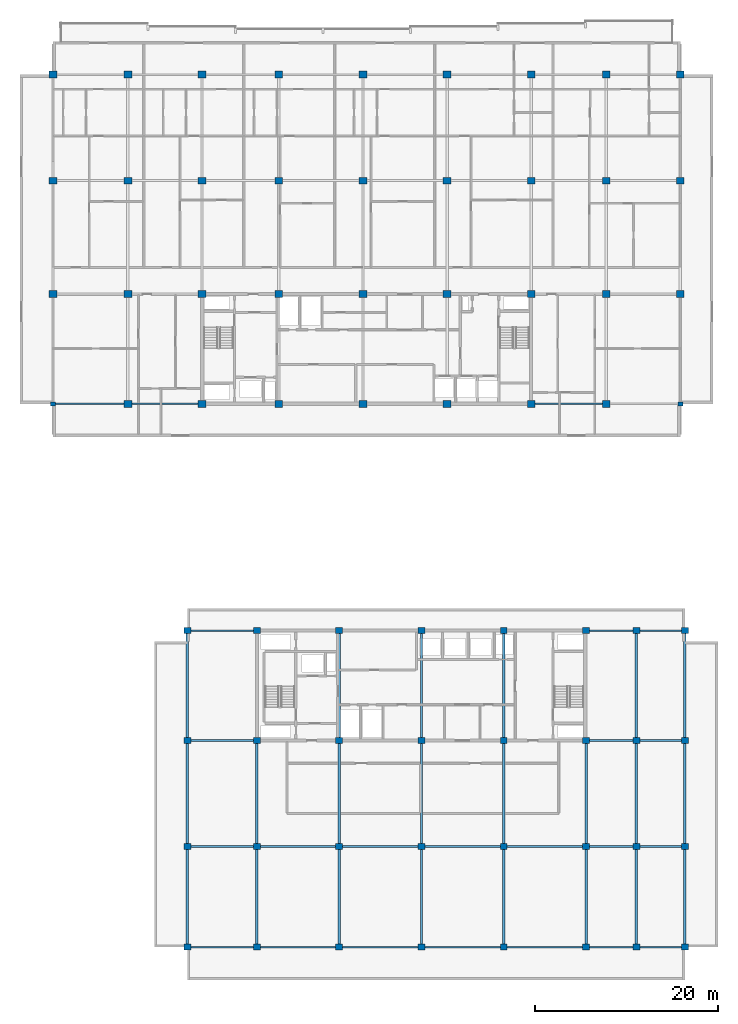
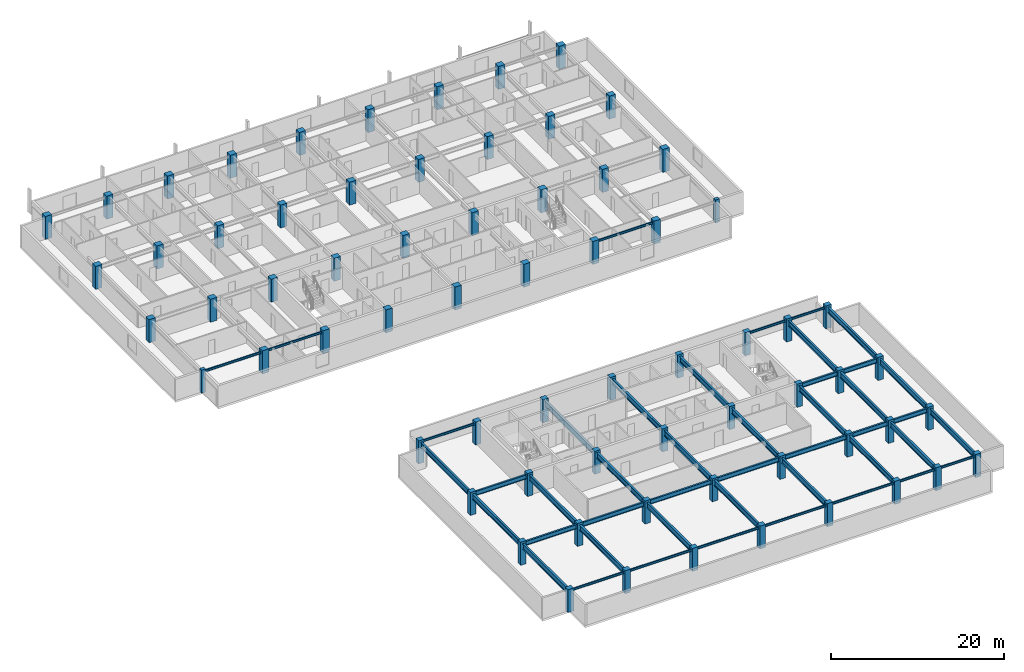
# One storey, part 1 of 17: 68 columns, 45 beams.
"""IFC4 building model written with IfcOpenShell, lengths in metres."""

from ifc_helpers import new_model, si_unit, direction, frame, origin, origin_2d, place, context, subcontext, project, spatial, rectangle, i_section, extrude, material, material_profile, profile_set, type_object, element, save


model = new_model("IFC4")

# Units and contexts
model_context = context("Model", 3, precision=1e-05, world=origin(), true_north=direction((0.0, 1.0)))
body_context = subcontext(model_context, "Body", "Model", "MODEL_VIEW")
ifc_project = project(units=[si_unit("LENGTHUNIT", "METRE"), si_unit("AREAUNIT", "SQUARE_METRE"), si_unit("VOLUMEUNIT", "CUBIC_METRE"), si_unit("PLANEANGLEUNIT", "RADIAN"), si_unit("MASSUNIT", "GRAM", prefix="KILO")], contexts=[model_context])

# Site, building, storey
site_placement = place(None, origin())
site = spatial("IfcSite", under=ifc_project, at=site_placement, CompositionType="ELEMENT")
building_placement = place(site_placement, origin())
building = spatial("IfcBuilding", under=site, at=building_placement, Name="Korimba Cascade Residences", CompositionType="ELEMENT")
storey_placement = place(building_placement, frame((0.0, 0.0, 204.35009765625)))
storey = spatial("IfcBuildingStorey", under=building, at=storey_placement, Name="L59", CompositionType="ELEMENT", Elevation=204.35009765625)

# Columns
ifc_material_1 = material(Name="Concrete C65/80", Category="concrete")
ifc_material_profile_1 = material_profile(ifc_material_1, rectangle(XDim=0.550048828125, YDim=0.449951171875, at=origin_2d()), Name="Concrete C65/80")
ifc_profile_set_1 = profile_set([ifc_material_profile_1], Name="Concrete C65/80")
column_type_1 = type_object("IfcColumnType", Name="COL-PIL-550", PredefinedType="PILASTER", material=ifc_profile_set_1)
for number, where, z_axis, x_axis, name in (
    (1, (59.800048828125, 55.199951171875, 0.0), (0.0, 0.0, 1.0), (1.0, 0.0, 0.0), "L59 Tower 1 Column 1.1"),
    (2, (128.39990234375, 55.199951171875, 0.0), (0.0, 0.0, 1.0), (1.0, 0.0, 0.0), "L59 Tower 1 Column 9.1"),
):
    element("IfcColumn", number, at=place(storey_placement, frame(where, z_axis=z_axis, x_axis=x_axis)), inside=storey, type_object=column_type_1, Name=name, PredefinedType="PILASTER", context=body_context, shape_type="SweptSolid", body=[
        extrude(rectangle(XDim=0.550048828125, YDim=0.449951171875, at=origin_2d()), origin(), (0.0, 0.0, 1.0), 3.25),
    ])
ifc_material_2 = material(Name="Concrete C50/60", Category="concrete")
ifc_material_profile_2 = material_profile(ifc_material_2, rectangle(XDim=0.75, YDim=0.64990234375, at=origin_2d()), Name="Concrete C50/60")
ifc_profile_set_2 = profile_set([ifc_material_profile_2], Name="Concrete C50/60")
column_type_2 = type_object("IfcColumnType", Name="COL-RC-750", PredefinedType="COLUMN", material=ifc_profile_set_2)
for number, where, z_axis, x_axis, name in (
    (3, (74.5, -4.199951171875, 0.0), (0.0, 0.0, 1.0), (1.0, 0.0, 0.0), "L59 Tower 2 Column 1.1"),
    (4, (74.5, 6.800048828125, 0.0), (0.0, 0.0, 1.0), (1.0, 0.0, 0.0), "L59 Tower 2 Column 1.2"),
    (5, (74.5, 18.39990234375, 0.0), (0.0, 0.0, 1.0), (1.0, 0.0, 0.0), "L59 Tower 2 Column 1.3"),
    (6, (74.5, 30.39990234375, 0.0), (0.0, 0.0, 1.0), (1.0, 0.0, 0.0), "L59 Tower 2 Column 1.4"),
    (7, (82.10009765625, -4.199951171875, 0.0), (0.0, 0.0, 1.0), (1.0, 0.0, 0.0), "L59 Tower 2 Column 2.1"),
    (8, (82.10009765625, 6.800048828125, 0.0), (0.0, 0.0, 1.0), (1.0, 0.0, 0.0), "L59 Tower 2 Column 2.2"),
    (9, (82.10009765625, 18.39990234375, 0.0), (0.0, 0.0, 1.0), (1.0, 0.0, 0.0), "L59 Tower 2 Column 2.3"),
    (10, (82.10009765625, 30.39990234375, 0.0), (0.0, 0.0, 1.0), (1.0, 0.0, 0.0), "L59 Tower 2 Column 2.4"),
    (11, (91.10009765625, -4.199951171875, 0.0), (0.0, 0.0, 1.0), (1.0, 0.0, 0.0), "L59 Tower 2 Column 3.1"),
    (12, (91.10009765625, 6.800048828125, 0.0), (0.0, 0.0, 1.0), (1.0, 0.0, 0.0), "L59 Tower 2 Column 3.2"),
    (13, (91.10009765625, 18.39990234375, 0.0), (0.0, 0.0, 1.0), (1.0, 0.0, 0.0), "L59 Tower 2 Column 3.3"),
    (14, (91.10009765625, 30.39990234375, 0.0), (0.0, 0.0, 1.0), (1.0, 0.0, 0.0), "L59 Tower 2 Column 3.4"),
    (15, (100.10009765625, -4.199951171875, 0.0), (0.0, 0.0, 1.0), (1.0, 0.0, 0.0), "L59 Tower 2 Column 4.1"),
    (16, (100.10009765625, 6.800048828125, 0.0), (0.0, 0.0, 1.0), (1.0, 0.0, 0.0), "L59 Tower 2 Column 4.2"),
    (17, (100.10009765625, 18.39990234375, 0.0), (0.0, 0.0, 1.0), (1.0, 0.0, 0.0), "L59 Tower 2 Column 4.3"),
    (18, (100.10009765625, 30.39990234375, 0.0), (0.0, 0.0, 1.0), (1.0, 0.0, 0.0), "L59 Tower 2 Column 4.4"),
    (19, (109.10009765625, -4.199951171875, 0.0), (0.0, 0.0, 1.0), (1.0, 0.0, 0.0), "L59 Tower 2 Column 5.1"),
    (20, (109.10009765625, 6.800048828125, 0.0), (0.0, 0.0, 1.0), (1.0, 0.0, 0.0), "L59 Tower 2 Column 5.2"),
    (21, (109.10009765625, 18.39990234375, 0.0), (0.0, 0.0, 1.0), (1.0, 0.0, 0.0), "L59 Tower 2 Column 5.3"),
    (22, (109.10009765625, 30.39990234375, 0.0), (0.0, 0.0, 1.0), (1.0, 0.0, 0.0), "L59 Tower 2 Column 5.4"),
    (23, (118.10009765625, -4.199951171875, 0.0), (0.0, 0.0, 1.0), (1.0, 0.0, 0.0), "L59 Tower 2 Column 6.1"),
    (24, (118.10009765625, 6.800048828125, 0.0), (0.0, 0.0, 1.0), (1.0, 0.0, 0.0), "L59 Tower 2 Column 6.2"),
    (25, (118.10009765625, 18.39990234375, 0.0), (0.0, 0.0, 1.0), (1.0, 0.0, 0.0), "L59 Tower 2 Column 6.3"),
    (26, (118.10009765625, 30.39990234375, 0.0), (0.0, 0.0, 1.0), (1.0, 0.0, 0.0), "L59 Tower 2 Column 6.4"),
    (27, (123.60009765625, -4.199951171875, 0.0), (0.0, 0.0, 1.0), (1.0, 0.0, 0.0), "L59 Tower 2 Column 7.1"),
    (28, (123.60009765625, 6.800048828125, 0.0), (0.0, 0.0, 1.0), (1.0, 0.0, 0.0), "L59 Tower 2 Column 7.2"),
    (29, (123.60009765625, 18.39990234375, 0.0), (0.0, 0.0, 1.0), (1.0, 0.0, 0.0), "L59 Tower 2 Column 7.3"),
    (30, (123.60009765625, 30.39990234375, 0.0), (0.0, 0.0, 1.0), (1.0, 0.0, 0.0), "L59 Tower 2 Column 7.4"),
    (31, (128.89990234375, -4.199951171875, 0.0), (0.0, 0.0, 1.0), (1.0, 0.0, 0.0), "L59 Tower 2 Column 8.1"),
    (32, (128.89990234375, 6.800048828125, 0.0), (0.0, 0.0, 1.0), (1.0, 0.0, 0.0), "L59 Tower 2 Column 8.2"),
    (33, (128.89990234375, 18.39990234375, 0.0), (0.0, 0.0, 1.0), (1.0, 0.0, 0.0), "L59 Tower 2 Column 8.3"),
    (34, (128.89990234375, 30.39990234375, 0.0), (0.0, 0.0, 1.0), (1.0, 0.0, 0.0), "L59 Tower 2 Column 8.4"),
):
    element("IfcColumn", number, at=place(storey_placement, frame(where, z_axis=z_axis, x_axis=x_axis)), inside=storey, type_object=column_type_2, Name=name, PredefinedType="COLUMN", context=body_context, shape_type="SweptSolid", body=[
        extrude(rectangle(XDim=0.75, YDim=0.64990234375, at=origin_2d()), origin(), (0.0, 0.0, 1.0), 3.25),
    ])
ifc_material_profile_3 = material_profile(ifc_material_1, rectangle(XDim=0.85009765625, YDim=0.75, at=origin_2d()), Name="Concrete C65/80")
ifc_profile_set_3 = profile_set([ifc_material_profile_3], Name="Concrete C65/80")
column_type_3 = type_object("IfcColumnType", Name="COL-RC-850", PredefinedType="COLUMN", material=ifc_profile_set_3)
for number, where, z_axis, x_axis, name in (
    (35, (59.800048828125, 67.199951171875, 0.0), (0.0, 0.0, 1.0), (1.0, 0.0, 0.0), "L59 Tower 1 Column 1.2"),
    (36, (59.800048828125, 79.60009765625, 0.0), (0.0, 0.0, 1.0), (1.0, 0.0, 0.0), "L59 Tower 1 Column 1.3"),
    (37, (59.800048828125, 91.199951171875, 0.0), (0.0, 0.0, 1.0), (1.0, 0.0, 0.0), "L59 Tower 1 Column 1.4"),
    (38, (68.0, 55.199951171875, 0.0), (0.0, 0.0, 1.0), (1.0, 0.0, 0.0), "L59 Tower 1 Column 2.1"),
    (39, (68.0, 67.199951171875, 0.0), (0.0, 0.0, 1.0), (1.0, 0.0, 0.0), "L59 Tower 1 Column 2.2"),
    (40, (68.0, 79.60009765625, 0.0), (0.0, 0.0, 1.0), (1.0, 0.0, 0.0), "L59 Tower 1 Column 2.3"),
    (41, (68.0, 91.199951171875, 0.0), (0.0, 0.0, 1.0), (1.0, 0.0, 0.0), "L59 Tower 1 Column 2.4"),
    (42, (76.10009765625, 55.199951171875, 0.0), (0.0, 0.0, 1.0), (1.0, 0.0, 0.0), "L59 Tower 1 Column 3.1"),
    (43, (76.10009765625, 67.199951171875, 0.0), (0.0, 0.0, 1.0), (1.0, 0.0, 0.0), "L59 Tower 1 Column 3.2"),
    (44, (76.10009765625, 79.60009765625, 0.0), (0.0, 0.0, 1.0), (1.0, 0.0, 0.0), "L59 Tower 1 Column 3.3"),
    (45, (76.10009765625, 91.199951171875, 0.0), (0.0, 0.0, 1.0), (1.0, 0.0, 0.0), "L59 Tower 1 Column 3.4"),
    (46, (84.5, 55.199951171875, 0.0), (0.0, 0.0, 1.0), (1.0, 0.0, 0.0), "L59 Tower 1 Column 4.1"),
    (47, (84.5, 67.199951171875, 0.0), (0.0, 0.0, 1.0), (1.0, 0.0, 0.0), "L59 Tower 1 Column 4.2"),
    (48, (84.5, 79.60009765625, 0.0), (0.0, 0.0, 1.0), (1.0, 0.0, 0.0), "L59 Tower 1 Column 4.3"),
    (49, (84.5, 91.199951171875, 0.0), (0.0, 0.0, 1.0), (1.0, 0.0, 0.0), "L59 Tower 1 Column 4.4"),
    (50, (93.699951171875, 55.199951171875, 0.0), (0.0, 0.0, 1.0), (1.0, 0.0, 0.0), "L59 Tower 1 Column 5.1"),
    (51, (93.699951171875, 67.199951171875, 0.0), (0.0, 0.0, 1.0), (1.0, 0.0, 0.0), "L59 Tower 1 Column 5.2"),
    (52, (93.699951171875, 79.60009765625, 0.0), (0.0, 0.0, 1.0), (1.0, 0.0, 0.0), "L59 Tower 1 Column 5.3"),
    (53, (93.699951171875, 91.199951171875, 0.0), (0.0, 0.0, 1.0), (1.0, 0.0, 0.0), "L59 Tower 1 Column 5.4"),
    (54, (102.89990234375, 55.199951171875, 0.0), (0.0, 0.0, 1.0), (1.0, 0.0, 0.0), "L59 Tower 1 Column 6.1"),
    (55, (102.89990234375, 67.199951171875, 0.0), (0.0, 0.0, 1.0), (1.0, 0.0, 0.0), "L59 Tower 1 Column 6.2"),
    (56, (102.89990234375, 79.60009765625, 0.0), (0.0, 0.0, 1.0), (1.0, 0.0, 0.0), "L59 Tower 1 Column 6.3"),
    (57, (102.89990234375, 91.199951171875, 0.0), (0.0, 0.0, 1.0), (1.0, 0.0, 0.0), "L59 Tower 1 Column 6.4"),
    (58, (112.10009765625, 55.199951171875, 0.0), (0.0, 0.0, 1.0), (1.0, 0.0, 0.0), "L59 Tower 1 Column 7.1"),
    (59, (112.10009765625, 67.199951171875, 0.0), (0.0, 0.0, 1.0), (1.0, 0.0, 0.0), "L59 Tower 1 Column 7.2"),
    (60, (112.10009765625, 79.60009765625, 0.0), (0.0, 0.0, 1.0), (1.0, 0.0, 0.0), "L59 Tower 1 Column 7.3"),
    (61, (112.10009765625, 91.199951171875, 0.0), (0.0, 0.0, 1.0), (1.0, 0.0, 0.0), "L59 Tower 1 Column 7.4"),
    (62, (120.300048828125, 55.199951171875, 0.0), (0.0, 0.0, 1.0), (1.0, 0.0, 0.0), "L59 Tower 1 Column 8.1"),
    (63, (120.300048828125, 67.199951171875, 0.0), (0.0, 0.0, 1.0), (1.0, 0.0, 0.0), "L59 Tower 1 Column 8.2"),
    (64, (120.300048828125, 79.60009765625, 0.0), (0.0, 0.0, 1.0), (1.0, 0.0, 0.0), "L59 Tower 1 Column 8.3"),
    (65, (120.300048828125, 91.199951171875, 0.0), (0.0, 0.0, 1.0), (1.0, 0.0, 0.0), "L59 Tower 1 Column 8.4"),
    (66, (128.39990234375, 67.199951171875, 0.0), (0.0, 0.0, 1.0), (1.0, 0.0, 0.0), "L59 Tower 1 Column 9.2"),
    (67, (128.39990234375, 79.60009765625, 0.0), (0.0, 0.0, 1.0), (1.0, 0.0, 0.0), "L59 Tower 1 Column 9.3"),
    (68, (128.39990234375, 91.199951171875, 0.0), (0.0, 0.0, 1.0), (1.0, 0.0, 0.0), "L59 Tower 1 Column 9.4"),
):
    element("IfcColumn", number, at=place(storey_placement, frame(where, z_axis=z_axis, x_axis=x_axis)), inside=storey, type_object=column_type_3, Name=name, PredefinedType="COLUMN", context=body_context, shape_type="SweptSolid", body=[
        extrude(rectangle(XDim=0.85009765625, YDim=0.75, at=origin_2d()), origin(), (0.0, 0.0, 1.0), 3.25),
    ])

# Beams
ifc_material_3 = material(Name="Steel S355", Category="steel")
ifc_material_profile_4 = material_profile(ifc_material_3, i_section(OverallWidth=0.165771484375, OverallDepth=0.306640625, WebThickness=0.006591796875, FlangeThickness=0.01171875, FilletRadius=0.0087890625, at=origin_2d()), Name="Steel S355")
ifc_profile_set_4 = profile_set([ifc_material_profile_4], Name="Steel S355")
beam_type_1 = type_object("IfcBeamType", Name="BM-STL-UB305", PredefinedType="SPANDREL", material=ifc_profile_set_4)
beam_1_placement = place(storey_placement, frame((60.074951171875, 55.199951171875, 2.82666015625), z_axis=(1.0, 0.0, 0.0), x_axis=(0.0, 1.0, 0.0)))
element("IfcBeam", 69, at=beam_1_placement, inside=storey, type_object=beam_type_1, Name="L59 T1 E-W Girder Y1 Bay 1", PredefinedType="SPANDREL", context=body_context, shape_type="SweptSolid", body=[
    extrude(i_section(OverallWidth=0.165771484375, OverallDepth=0.306640625, WebThickness=0.006591796875, FlangeThickness=0.01171875, FilletRadius=0.0087890625, at=origin_2d()), origin(), (0.0, 0.0, 1.0), 7.5),
])
beam_2_placement = place(storey_placement, frame((68.425048828125, 55.199951171875, 2.82666015625), z_axis=(1.0, 0.0, 0.0), x_axis=(0.0, 1.0, 0.0)))
element("IfcBeam", 70, at=beam_2_placement, inside=storey, type_object=beam_type_1, Name="L59 T1 E-W Girder Y1 Bay 2", PredefinedType="SPANDREL", context=body_context, shape_type="SweptSolid", body=[
    extrude(i_section(OverallWidth=0.165771484375, OverallDepth=0.306640625, WebThickness=0.006591796875, FlangeThickness=0.01171875, FilletRadius=0.0087890625, at=origin_2d()), origin(), (0.0, 0.0, 1.0), 7.25),
])
beam_3_placement = place(storey_placement, frame((112.52490234375, 55.199951171875, 2.82666015625), z_axis=(1.0, 0.0, 0.0), x_axis=(0.0, 1.0, 0.0)))
element("IfcBeam", 71, at=beam_3_placement, inside=storey, type_object=beam_type_1, Name="L59 T1 E-W Girder Y1 Bay 7", PredefinedType="SPANDREL", context=body_context, shape_type="SweptSolid", body=[
    extrude(i_section(OverallWidth=0.165771484375, OverallDepth=0.306640625, WebThickness=0.006591796875, FlangeThickness=0.01171875, FilletRadius=0.0087890625, at=origin_2d()), origin(), (0.0, 0.0, 1.0), 7.35009765625),
])
beam_4_placement = place(storey_placement, frame((74.875, -4.199951171875, 2.82666015625), z_axis=(1.0, 0.0, 0.0), x_axis=(0.0, 1.0, 0.0)))
element("IfcBeam", 72, at=beam_4_placement, inside=storey, type_object=beam_type_1, Name="L59 T2 E-W Girder Y1 Bay 1", PredefinedType="SPANDREL", context=body_context, shape_type="SweptSolid", body=[
    extrude(i_section(OverallWidth=0.165771484375, OverallDepth=0.306640625, WebThickness=0.006591796875, FlangeThickness=0.01171875, FilletRadius=0.0087890625, at=origin_2d()), origin(), (0.0, 0.0, 1.0), 6.85009765625),
])
for number, where, z_axis, x_axis, name in (
    (73, (82.47509765625, -4.199951171875, 2.82666015625), (1.0, 0.0, 0.0), (0.0, 1.0, 0.0), "L59 T2 E-W Girder Y1 Bay 2"),
    (74, (91.47509765625, -4.199951171875, 2.82666015625), (1.0, 0.0, 0.0), (0.0, 1.0, 0.0), "L59 T2 E-W Girder Y1 Bay 3"),
    (75, (100.47509765625, -4.199951171875, 2.82666015625), (1.0, 0.0, 0.0), (0.0, 1.0, 0.0), "L59 T2 E-W Girder Y1 Bay 4"),
    (76, (109.47509765625, -4.199951171875, 2.82666015625), (1.0, 0.0, 0.0), (0.0, 1.0, 0.0), "L59 T2 E-W Girder Y1 Bay 5"),
):
    element("IfcBeam", number, at=place(storey_placement, frame(where, z_axis=z_axis, x_axis=x_axis)), inside=storey, type_object=beam_type_1, Name=name, PredefinedType="SPANDREL", context=body_context, shape_type="SweptSolid", body=[
        extrude(i_section(OverallWidth=0.165771484375, OverallDepth=0.306640625, WebThickness=0.006591796875, FlangeThickness=0.01171875, FilletRadius=0.0087890625, at=origin_2d()), origin(), (0.0, 0.0, 1.0), 8.25),
    ])
beam_5_placement = place(storey_placement, frame((118.47509765625, -4.199951171875, 2.82666015625), z_axis=(1.0, 0.0, 0.0), x_axis=(0.0, 1.0, 0.0)))
element("IfcBeam", 77, at=beam_5_placement, inside=storey, type_object=beam_type_1, Name="L59 T2 E-W Girder Y1 Bay 6", PredefinedType="SPANDREL", context=body_context, shape_type="SweptSolid", body=[
    extrude(i_section(OverallWidth=0.165771484375, OverallDepth=0.306640625, WebThickness=0.006591796875, FlangeThickness=0.01171875, FilletRadius=0.0087890625, at=origin_2d()), origin(), (0.0, 0.0, 1.0), 4.75),
])
beam_6_placement = place(storey_placement, frame((123.97509765625, -4.199951171875, 2.82666015625), z_axis=(1.0, 0.0, 0.0), x_axis=(0.0, 1.0, 0.0)))
element("IfcBeam", 78, at=beam_6_placement, inside=storey, type_object=beam_type_1, Name="L59 T2 E-W Girder Y1 Bay 7", PredefinedType="SPANDREL", context=body_context, shape_type="SweptSolid", body=[
    extrude(i_section(OverallWidth=0.165771484375, OverallDepth=0.306640625, WebThickness=0.006591796875, FlangeThickness=0.01171875, FilletRadius=0.0087890625, at=origin_2d()), origin(), (0.0, 0.0, 1.0), 4.5498046875),
])
beam_7_placement = place(storey_placement, frame((74.875, 30.39990234375, 2.82666015625), z_axis=(1.0, 0.0, 0.0), x_axis=(0.0, 1.0, 0.0)))
element("IfcBeam", 79, at=beam_7_placement, inside=storey, type_object=beam_type_1, Name="L59 T2 E-W Girder Y4 Bay 1", PredefinedType="SPANDREL", context=body_context, shape_type="SweptSolid", body=[
    extrude(i_section(OverallWidth=0.165771484375, OverallDepth=0.306640625, WebThickness=0.006591796875, FlangeThickness=0.01171875, FilletRadius=0.0087890625, at=origin_2d()), origin(), (0.0, 0.0, 1.0), 6.85009765625),
])
beam_8_placement = place(storey_placement, frame((118.47509765625, 30.39990234375, 2.82666015625), z_axis=(1.0, 0.0, 0.0), x_axis=(0.0, 1.0, 0.0)))
element("IfcBeam", 80, at=beam_8_placement, inside=storey, type_object=beam_type_1, Name="L59 T2 E-W Girder Y4 Bay 6", PredefinedType="SPANDREL", context=body_context, shape_type="SweptSolid", body=[
    extrude(i_section(OverallWidth=0.165771484375, OverallDepth=0.306640625, WebThickness=0.006591796875, FlangeThickness=0.01171875, FilletRadius=0.0087890625, at=origin_2d()), origin(), (0.0, 0.0, 1.0), 4.75),
])
beam_9_placement = place(storey_placement, frame((123.97509765625, 30.39990234375, 2.82666015625), z_axis=(1.0, 0.0, 0.0), x_axis=(0.0, 1.0, 0.0)))
element("IfcBeam", 81, at=beam_9_placement, inside=storey, type_object=beam_type_1, Name="L59 T2 E-W Girder Y4 Bay 7", PredefinedType="SPANDREL", context=body_context, shape_type="SweptSolid", body=[
    extrude(i_section(OverallWidth=0.165771484375, OverallDepth=0.306640625, WebThickness=0.006591796875, FlangeThickness=0.01171875, FilletRadius=0.0087890625, at=origin_2d()), origin(), (0.0, 0.0, 1.0), 4.5498046875),
])
ifc_material_profile_5 = material_profile(ifc_material_3, i_section(OverallWidth=0.22900390625, OverallDepth=0.6123046875, WebThickness=0.011962890625, FlangeThickness=0.01953125, FilletRadius=0.0126953125, at=origin_2d()), Name="Steel S355")
ifc_profile_set_5 = profile_set([ifc_material_profile_5], Name="Steel S355")
beam_type_2 = type_object("IfcBeamType", Name="BM-STL-UB610B", PredefinedType="BEAM", material=ifc_profile_set_5)
beam_10_placement = place(storey_placement, frame((74.875, 6.800048828125, 2.673828125), z_axis=(1.0, 0.0, 0.0), x_axis=(0.0, 1.0, 0.0)))
element("IfcBeam", 82, at=beam_10_placement, inside=storey, type_object=beam_type_2, Name="L59 T2 E-W Girder Y2 Bay 1", PredefinedType="BEAM", context=body_context, shape_type="SweptSolid", body=[
    extrude(i_section(OverallWidth=0.22900390625, OverallDepth=0.6123046875, WebThickness=0.011962890625, FlangeThickness=0.01953125, FilletRadius=0.0126953125, at=origin_2d()), origin(), (0.0, 0.0, 1.0), 6.85009765625),
])
for number, where, z_axis, x_axis, name in (
    (83, (82.47509765625, 6.800048828125, 2.673828125), (1.0, 0.0, 0.0), (0.0, 1.0, 0.0), "L59 T2 E-W Girder Y2 Bay 2"),
    (84, (91.47509765625, 6.800048828125, 2.673828125), (1.0, 0.0, 0.0), (0.0, 1.0, 0.0), "L59 T2 E-W Girder Y2 Bay 3"),
    (85, (100.47509765625, 6.800048828125, 2.673828125), (1.0, 0.0, 0.0), (0.0, 1.0, 0.0), "L59 T2 E-W Girder Y2 Bay 4"),
    (86, (109.47509765625, 6.800048828125, 2.673828125), (1.0, 0.0, 0.0), (0.0, 1.0, 0.0), "L59 T2 E-W Girder Y2 Bay 5"),
):
    element("IfcBeam", number, at=place(storey_placement, frame(where, z_axis=z_axis, x_axis=x_axis)), inside=storey, type_object=beam_type_2, Name=name, PredefinedType="BEAM", context=body_context, shape_type="SweptSolid", body=[
        extrude(i_section(OverallWidth=0.22900390625, OverallDepth=0.6123046875, WebThickness=0.011962890625, FlangeThickness=0.01953125, FilletRadius=0.0126953125, at=origin_2d()), origin(), (0.0, 0.0, 1.0), 8.25),
    ])
beam_11_placement = place(storey_placement, frame((118.47509765625, 6.800048828125, 2.673828125), z_axis=(1.0, 0.0, 0.0), x_axis=(0.0, 1.0, 0.0)))
element("IfcBeam", 87, at=beam_11_placement, inside=storey, type_object=beam_type_2, Name="L59 T2 E-W Girder Y2 Bay 6", PredefinedType="BEAM", context=body_context, shape_type="SweptSolid", body=[
    extrude(i_section(OverallWidth=0.22900390625, OverallDepth=0.6123046875, WebThickness=0.011962890625, FlangeThickness=0.01953125, FilletRadius=0.0126953125, at=origin_2d()), origin(), (0.0, 0.0, 1.0), 4.75),
])
beam_12_placement = place(storey_placement, frame((123.97509765625, 6.800048828125, 2.673828125), z_axis=(1.0, 0.0, 0.0), x_axis=(0.0, 1.0, 0.0)))
element("IfcBeam", 88, at=beam_12_placement, inside=storey, type_object=beam_type_2, Name="L59 T2 E-W Girder Y2 Bay 7", PredefinedType="BEAM", context=body_context, shape_type="SweptSolid", body=[
    extrude(i_section(OverallWidth=0.22900390625, OverallDepth=0.6123046875, WebThickness=0.011962890625, FlangeThickness=0.01953125, FilletRadius=0.0126953125, at=origin_2d()), origin(), (0.0, 0.0, 1.0), 4.5498046875),
])
beam_13_placement = place(storey_placement, frame((74.875, 18.39990234375, 2.673828125), z_axis=(1.0, 0.0, 0.0), x_axis=(0.0, 1.0, 0.0)))
element("IfcBeam", 89, at=beam_13_placement, inside=storey, type_object=beam_type_2, Name="L59 T2 E-W Girder Y3 Bay 1", PredefinedType="BEAM", context=body_context, shape_type="SweptSolid", body=[
    extrude(i_section(OverallWidth=0.22900390625, OverallDepth=0.6123046875, WebThickness=0.011962890625, FlangeThickness=0.01953125, FilletRadius=0.0126953125, at=origin_2d()), origin(), (0.0, 0.0, 1.0), 6.85009765625),
])
beam_14_placement = place(storey_placement, frame((118.47509765625, 18.39990234375, 2.673828125), z_axis=(1.0, 0.0, 0.0), x_axis=(0.0, 1.0, 0.0)))
element("IfcBeam", 90, at=beam_14_placement, inside=storey, type_object=beam_type_2, Name="L59 T2 E-W Girder Y3 Bay 6", PredefinedType="BEAM", context=body_context, shape_type="SweptSolid", body=[
    extrude(i_section(OverallWidth=0.22900390625, OverallDepth=0.6123046875, WebThickness=0.011962890625, FlangeThickness=0.01953125, FilletRadius=0.0126953125, at=origin_2d()), origin(), (0.0, 0.0, 1.0), 4.75),
])
beam_15_placement = place(storey_placement, frame((123.97509765625, 18.39990234375, 2.673828125), z_axis=(1.0, 0.0, 0.0), x_axis=(0.0, 1.0, 0.0)))
element("IfcBeam", 91, at=beam_15_placement, inside=storey, type_object=beam_type_2, Name="L59 T2 E-W Girder Y3 Bay 7", PredefinedType="BEAM", context=body_context, shape_type="SweptSolid", body=[
    extrude(i_section(OverallWidth=0.22900390625, OverallDepth=0.6123046875, WebThickness=0.011962890625, FlangeThickness=0.01953125, FilletRadius=0.0126953125, at=origin_2d()), origin(), (0.0, 0.0, 1.0), 4.5498046875),
])
ifc_material_profile_6 = material_profile(ifc_material_3, i_section(OverallWidth=0.26806640625, OverallDepth=0.769775390625, WebThickness=0.015625, FlangeThickness=0.025390625, FilletRadius=0.0166015625, at=origin_2d()), Name="Steel S355")
ifc_profile_set_6 = profile_set([ifc_material_profile_6], Name="Steel S355")
beam_type_3 = type_object("IfcBeamType", Name="BM-STL-UB762", PredefinedType="BEAM", material=ifc_profile_set_6)
beam_16_placement = place(storey_placement, frame((74.5, -3.875, 2.594970703125), z_axis=(0.0, 1.0, 0.0), x_axis=(-1.0, 0.0, 0.0)))
element("IfcBeam", 92, at=beam_16_placement, inside=storey, type_object=beam_type_3, Name="L59 T2 N-S Girder X1 Seg 1", PredefinedType="BEAM", context=body_context, shape_type="SweptSolid", body=[
    extrude(i_section(OverallWidth=0.26806640625, OverallDepth=0.769775390625, WebThickness=0.015625, FlangeThickness=0.025390625, FilletRadius=0.0166015625, at=origin_2d()), origin(), (0.0, 0.0, 1.0), 10.35009765625),
])
beam_17_placement = place(storey_placement, frame((74.5, 7.125, 2.594970703125), z_axis=(0.0, 1.0, 0.0), x_axis=(-1.0, 0.0, 0.0)))
element("IfcBeam", 93, at=beam_17_placement, inside=storey, type_object=beam_type_3, Name="L59 T2 N-S Girder X1 Seg 2", PredefinedType="BEAM", context=body_context, shape_type="SweptSolid", body=[
    extrude(i_section(OverallWidth=0.26806640625, OverallDepth=0.769775390625, WebThickness=0.015625, FlangeThickness=0.025390625, FilletRadius=0.0166015625, at=origin_2d()), origin(), (0.0, 0.0, 1.0), 10.949951171875),
])
beam_18_placement = place(storey_placement, frame((74.5, 18.72509765625, 2.594970703125), z_axis=(0.0, 1.0, 0.0), x_axis=(-1.0, 0.0, 0.0)))
element("IfcBeam", 94, at=beam_18_placement, inside=storey, type_object=beam_type_3, Name="L59 T2 N-S Girder X1 Seg 3", PredefinedType="BEAM", context=body_context, shape_type="SweptSolid", body=[
    extrude(i_section(OverallWidth=0.26806640625, OverallDepth=0.769775390625, WebThickness=0.015625, FlangeThickness=0.025390625, FilletRadius=0.0166015625, at=origin_2d()), origin(), (0.0, 0.0, 1.0), 11.349853515625),
])
beam_19_placement = place(storey_placement, frame((82.10009765625, -3.875, 2.594970703125), z_axis=(0.0, 1.0, 0.0), x_axis=(-1.0, 0.0, 0.0)))
element("IfcBeam", 95, at=beam_19_placement, inside=storey, type_object=beam_type_3, Name="L59 T2 N-S Girder X2 Seg 1", PredefinedType="BEAM", context=body_context, shape_type="SweptSolid", body=[
    extrude(i_section(OverallWidth=0.26806640625, OverallDepth=0.769775390625, WebThickness=0.015625, FlangeThickness=0.025390625, FilletRadius=0.0166015625, at=origin_2d()), origin(), (0.0, 0.0, 1.0), 10.35009765625),
])
beam_20_placement = place(storey_placement, frame((82.10009765625, 7.125, 2.594970703125), z_axis=(0.0, 1.0, 0.0), x_axis=(-1.0, 0.0, 0.0)))
element("IfcBeam", 96, at=beam_20_placement, inside=storey, type_object=beam_type_3, Name="L59 T2 N-S Girder X2 Seg 2", PredefinedType="BEAM", context=body_context, shape_type="SweptSolid", body=[
    extrude(i_section(OverallWidth=0.26806640625, OverallDepth=0.769775390625, WebThickness=0.015625, FlangeThickness=0.025390625, FilletRadius=0.0166015625, at=origin_2d()), origin(), (0.0, 0.0, 1.0), 10.949951171875),
])
beam_21_placement = place(storey_placement, frame((91.10009765625, -3.875, 2.594970703125), z_axis=(0.0, 1.0, 0.0), x_axis=(-1.0, 0.0, 0.0)))
element("IfcBeam", 97, at=beam_21_placement, inside=storey, type_object=beam_type_3, Name="L59 T2 N-S Girder X3 Seg 1", PredefinedType="BEAM", context=body_context, shape_type="SweptSolid", body=[
    extrude(i_section(OverallWidth=0.26806640625, OverallDepth=0.769775390625, WebThickness=0.015625, FlangeThickness=0.025390625, FilletRadius=0.0166015625, at=origin_2d()), origin(), (0.0, 0.0, 1.0), 10.35009765625),
])
beam_22_placement = place(storey_placement, frame((91.10009765625, 7.125, 2.594970703125), z_axis=(0.0, 1.0, 0.0), x_axis=(-1.0, 0.0, 0.0)))
element("IfcBeam", 98, at=beam_22_placement, inside=storey, type_object=beam_type_3, Name="L59 T2 N-S Girder X3 Seg 2", PredefinedType="BEAM", context=body_context, shape_type="SweptSolid", body=[
    extrude(i_section(OverallWidth=0.26806640625, OverallDepth=0.769775390625, WebThickness=0.015625, FlangeThickness=0.025390625, FilletRadius=0.0166015625, at=origin_2d()), origin(), (0.0, 0.0, 1.0), 10.949951171875),
])
beam_23_placement = place(storey_placement, frame((91.10009765625, 18.72509765625, 2.594970703125), z_axis=(0.0, 1.0, 0.0), x_axis=(-1.0, 0.0, 0.0)))
element("IfcBeam", 99, at=beam_23_placement, inside=storey, type_object=beam_type_3, Name="L59 T2 N-S Girder X3 Seg 3", PredefinedType="BEAM", context=body_context, shape_type="SweptSolid", body=[
    extrude(i_section(OverallWidth=0.26806640625, OverallDepth=0.769775390625, WebThickness=0.015625, FlangeThickness=0.025390625, FilletRadius=0.0166015625, at=origin_2d()), origin(), (0.0, 0.0, 1.0), 11.349853515625),
])
beam_24_placement = place(storey_placement, frame((100.10009765625, -3.875, 2.594970703125), z_axis=(0.0, 1.0, 0.0), x_axis=(-1.0, 0.0, 0.0)))
element("IfcBeam", 100, at=beam_24_placement, inside=storey, type_object=beam_type_3, Name="L59 T2 N-S Girder X4 Seg 1", PredefinedType="BEAM", context=body_context, shape_type="SweptSolid", body=[
    extrude(i_section(OverallWidth=0.26806640625, OverallDepth=0.769775390625, WebThickness=0.015625, FlangeThickness=0.025390625, FilletRadius=0.0166015625, at=origin_2d()), origin(), (0.0, 0.0, 1.0), 10.35009765625),
])
beam_25_placement = place(storey_placement, frame((100.10009765625, 7.125, 2.594970703125), z_axis=(0.0, 1.0, 0.0), x_axis=(-1.0, 0.0, 0.0)))
element("IfcBeam", 101, at=beam_25_placement, inside=storey, type_object=beam_type_3, Name="L59 T2 N-S Girder X4 Seg 2", PredefinedType="BEAM", context=body_context, shape_type="SweptSolid", body=[
    extrude(i_section(OverallWidth=0.26806640625, OverallDepth=0.769775390625, WebThickness=0.015625, FlangeThickness=0.025390625, FilletRadius=0.0166015625, at=origin_2d()), origin(), (0.0, 0.0, 1.0), 10.949951171875),
])
beam_26_placement = place(storey_placement, frame((100.10009765625, 18.72509765625, 2.594970703125), z_axis=(0.0, 1.0, 0.0), x_axis=(-1.0, 0.0, 0.0)))
element("IfcBeam", 102, at=beam_26_placement, inside=storey, type_object=beam_type_3, Name="L59 T2 N-S Girder X4 Seg 3", PredefinedType="BEAM", context=body_context, shape_type="SweptSolid", body=[
    extrude(i_section(OverallWidth=0.26806640625, OverallDepth=0.769775390625, WebThickness=0.015625, FlangeThickness=0.025390625, FilletRadius=0.0166015625, at=origin_2d()), origin(), (0.0, 0.0, 1.0), 11.349853515625),
])
beam_27_placement = place(storey_placement, frame((109.10009765625, -3.875, 2.594970703125), z_axis=(0.0, 1.0, 0.0), x_axis=(-1.0, 0.0, 0.0)))
element("IfcBeam", 103, at=beam_27_placement, inside=storey, type_object=beam_type_3, Name="L59 T2 N-S Girder X5 Seg 1", PredefinedType="BEAM", context=body_context, shape_type="SweptSolid", body=[
    extrude(i_section(OverallWidth=0.26806640625, OverallDepth=0.769775390625, WebThickness=0.015625, FlangeThickness=0.025390625, FilletRadius=0.0166015625, at=origin_2d()), origin(), (0.0, 0.0, 1.0), 10.35009765625),
])
beam_28_placement = place(storey_placement, frame((109.10009765625, 7.125, 2.594970703125), z_axis=(0.0, 1.0, 0.0), x_axis=(-1.0, 0.0, 0.0)))
element("IfcBeam", 104, at=beam_28_placement, inside=storey, type_object=beam_type_3, Name="L59 T2 N-S Girder X5 Seg 2", PredefinedType="BEAM", context=body_context, shape_type="SweptSolid", body=[
    extrude(i_section(OverallWidth=0.26806640625, OverallDepth=0.769775390625, WebThickness=0.015625, FlangeThickness=0.025390625, FilletRadius=0.0166015625, at=origin_2d()), origin(), (0.0, 0.0, 1.0), 10.949951171875),
])
beam_29_placement = place(storey_placement, frame((109.10009765625, 18.72509765625, 2.594970703125), z_axis=(0.0, 1.0, 0.0), x_axis=(-1.0, 0.0, 0.0)))
element("IfcBeam", 105, at=beam_29_placement, inside=storey, type_object=beam_type_3, Name="L59 T2 N-S Girder X5 Seg 3", PredefinedType="BEAM", context=body_context, shape_type="SweptSolid", body=[
    extrude(i_section(OverallWidth=0.26806640625, OverallDepth=0.769775390625, WebThickness=0.015625, FlangeThickness=0.025390625, FilletRadius=0.0166015625, at=origin_2d()), origin(), (0.0, 0.0, 1.0), 11.349853515625),
])
beam_30_placement = place(storey_placement, frame((118.10009765625, -3.875, 2.594970703125), z_axis=(0.0, 1.0, 0.0), x_axis=(-1.0, 0.0, 0.0)))
element("IfcBeam", 106, at=beam_30_placement, inside=storey, type_object=beam_type_3, Name="L59 T2 N-S Girder X6 Seg 1", PredefinedType="BEAM", context=body_context, shape_type="SweptSolid", body=[
    extrude(i_section(OverallWidth=0.26806640625, OverallDepth=0.769775390625, WebThickness=0.015625, FlangeThickness=0.025390625, FilletRadius=0.0166015625, at=origin_2d()), origin(), (0.0, 0.0, 1.0), 10.35009765625),
])
beam_31_placement = place(storey_placement, frame((118.10009765625, 7.125, 2.594970703125), z_axis=(0.0, 1.0, 0.0), x_axis=(-1.0, 0.0, 0.0)))
element("IfcBeam", 107, at=beam_31_placement, inside=storey, type_object=beam_type_3, Name="L59 T2 N-S Girder X6 Seg 2", PredefinedType="BEAM", context=body_context, shape_type="SweptSolid", body=[
    extrude(i_section(OverallWidth=0.26806640625, OverallDepth=0.769775390625, WebThickness=0.015625, FlangeThickness=0.025390625, FilletRadius=0.0166015625, at=origin_2d()), origin(), (0.0, 0.0, 1.0), 10.949951171875),
])
beam_32_placement = place(storey_placement, frame((123.60009765625, -3.875, 2.594970703125), z_axis=(0.0, 1.0, 0.0), x_axis=(-1.0, 0.0, 0.0)))
element("IfcBeam", 108, at=beam_32_placement, inside=storey, type_object=beam_type_3, Name="L59 T2 N-S Girder X7 Seg 1", PredefinedType="BEAM", context=body_context, shape_type="SweptSolid", body=[
    extrude(i_section(OverallWidth=0.26806640625, OverallDepth=0.769775390625, WebThickness=0.015625, FlangeThickness=0.025390625, FilletRadius=0.0166015625, at=origin_2d()), origin(), (0.0, 0.0, 1.0), 10.35009765625),
])
beam_33_placement = place(storey_placement, frame((123.60009765625, 7.125, 2.594970703125), z_axis=(0.0, 1.0, 0.0), x_axis=(-1.0, 0.0, 0.0)))
element("IfcBeam", 109, at=beam_33_placement, inside=storey, type_object=beam_type_3, Name="L59 T2 N-S Girder X7 Seg 2", PredefinedType="BEAM", context=body_context, shape_type="SweptSolid", body=[
    extrude(i_section(OverallWidth=0.26806640625, OverallDepth=0.769775390625, WebThickness=0.015625, FlangeThickness=0.025390625, FilletRadius=0.0166015625, at=origin_2d()), origin(), (0.0, 0.0, 1.0), 10.949951171875),
])
beam_34_placement = place(storey_placement, frame((123.60009765625, 18.72509765625, 2.594970703125), z_axis=(0.0, 1.0, 0.0), x_axis=(-1.0, 0.0, 0.0)))
element("IfcBeam", 110, at=beam_34_placement, inside=storey, type_object=beam_type_3, Name="L59 T2 N-S Girder X7 Seg 3", PredefinedType="BEAM", context=body_context, shape_type="SweptSolid", body=[
    extrude(i_section(OverallWidth=0.26806640625, OverallDepth=0.769775390625, WebThickness=0.015625, FlangeThickness=0.025390625, FilletRadius=0.0166015625, at=origin_2d()), origin(), (0.0, 0.0, 1.0), 11.349853515625),
])
beam_35_placement = place(storey_placement, frame((128.89990234375, -3.875, 2.594970703125), z_axis=(0.0, 1.0, 0.0), x_axis=(-1.0, 0.0, 0.0)))
element("IfcBeam", 111, at=beam_35_placement, inside=storey, type_object=beam_type_3, Name="L59 T2 N-S Girder X8 Seg 1", PredefinedType="BEAM", context=body_context, shape_type="SweptSolid", body=[
    extrude(i_section(OverallWidth=0.26806640625, OverallDepth=0.769775390625, WebThickness=0.015625, FlangeThickness=0.025390625, FilletRadius=0.0166015625, at=origin_2d()), origin(), (0.0, 0.0, 1.0), 10.35009765625),
])
beam_36_placement = place(storey_placement, frame((128.89990234375, 7.125, 2.594970703125), z_axis=(0.0, 1.0, 0.0), x_axis=(-1.0, 0.0, 0.0)))
element("IfcBeam", 112, at=beam_36_placement, inside=storey, type_object=beam_type_3, Name="L59 T2 N-S Girder X8 Seg 2", PredefinedType="BEAM", context=body_context, shape_type="SweptSolid", body=[
    extrude(i_section(OverallWidth=0.26806640625, OverallDepth=0.769775390625, WebThickness=0.015625, FlangeThickness=0.025390625, FilletRadius=0.0166015625, at=origin_2d()), origin(), (0.0, 0.0, 1.0), 10.949951171875),
])
beam_37_placement = place(storey_placement, frame((128.89990234375, 18.72509765625, 2.594970703125), z_axis=(0.0, 1.0, 0.0), x_axis=(-1.0, 0.0, 0.0)))
element("IfcBeam", 113, at=beam_37_placement, inside=storey, type_object=beam_type_3, Name="L59 T2 N-S Girder X8 Seg 3", PredefinedType="BEAM", context=body_context, shape_type="SweptSolid", body=[
    extrude(i_section(OverallWidth=0.26806640625, OverallDepth=0.769775390625, WebThickness=0.015625, FlangeThickness=0.025390625, FilletRadius=0.0166015625, at=origin_2d()), origin(), (0.0, 0.0, 1.0), 11.349853515625),
])

save(model, "model.ifc")
